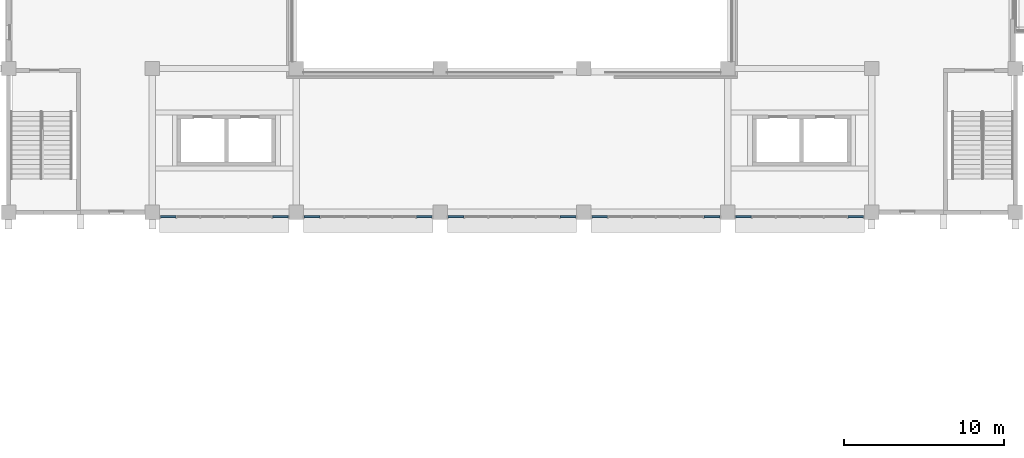
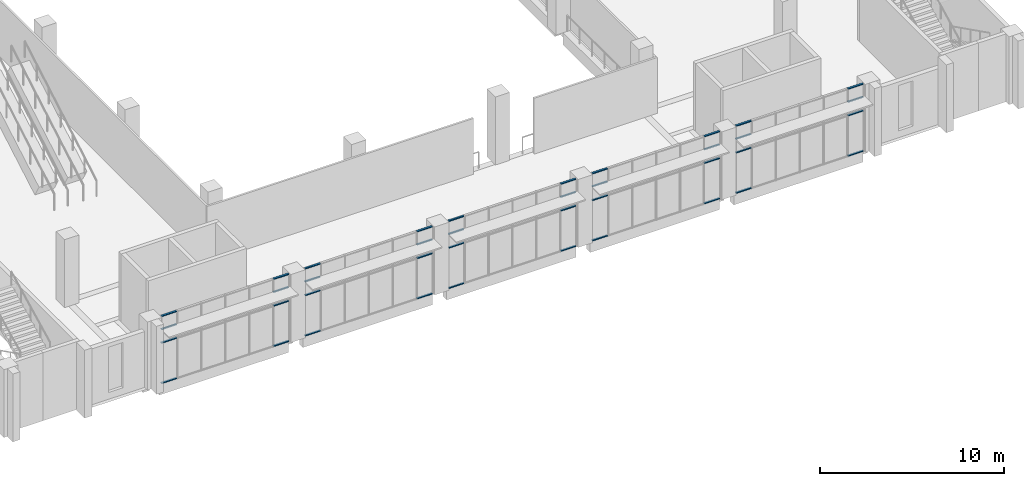
# One storey, part 35 of 88: 40 members, 5 elements without a shape of their own.
"""IFC4 building model written with IfcOpenShell, lengths in metres."""

from ifc_helpers import new_model, si_unit, direction, frame, origin, origin_2d, place, context, subcontext, project, spatial, rectangle, extrude, material, layer, layer_set, material_profile, profile_set, type_object, element, aggregate, save


model = new_model("IFC4")

# Units and contexts
model_context = context("Model", 3, precision=1e-05, world=origin(), true_north=direction((0.0, 1.0)))
body_context = subcontext(model_context, "Body", "Model", "MODEL_VIEW")
ifc_project = project(units=[si_unit("LENGTHUNIT", "METRE"), si_unit("AREAUNIT", "SQUARE_METRE"), si_unit("VOLUMEUNIT", "CUBIC_METRE"), si_unit("PLANEANGLEUNIT", "RADIAN"), si_unit("MASSUNIT", "GRAM", prefix="KILO")], contexts=[model_context])

# Site, building, storey
site_placement = place(None, origin())
site = spatial("IfcSite", under=ifc_project, at=site_placement, CompositionType="ELEMENT")
building_placement = place(site_placement, origin())
building = spatial("IfcBuilding", under=site, at=building_placement, Name="Guidao Yard Department Store", CompositionType="ELEMENT")
storey_placement = place(building_placement, frame((0.0, 0.0, 6.0)))
storey = spatial("IfcBuildingStorey", under=building, at=storey_placement, Name="L01", CompositionType="ELEMENT", Elevation=6.0)

# Curtain wall, members
ifc_material_1 = material(Name="Aluminium and glass", Category="aluminium")
ifc_layer = layer(ifc_material_1, 0.159912109375)
ifc_layer_set = layer_set([ifc_layer], Name="Hall front curtain wall CW2 1500 module")
curtain_wall_type = type_object("IfcCurtainWallType", Name="Hall front curtain wall CW2 1500 module", PredefinedType="NOTDEFINED", material=ifc_layer_set)
curtain_wall_1_placement = place(storey_placement, origin())
curtain_wall_1 = element("IfcCurtainWall", 1, at=curtain_wall_1_placement, inside=storey, type_object=curtain_wall_type, Name="Hall front curtain wall", PredefinedType="NOTDEFINED")
ifc_material_2 = material(Name="Aluminium 6063-T5", Category="aluminium")
ifc_material_profile = material_profile(ifc_material_2, rectangle(XDim=0.1201171875, YDim=0.06005859375, at=origin_2d()), Name="Transom T1 60 x 120 aluminium pressure plate")
ifc_profile_set = profile_set([ifc_material_profile], Name="Aluminium 6063-T5")
member_type = type_object("IfcMemberType", Name="Transom T1 60 x 120 aluminium pressure plate", PredefinedType="USERDEFINED", material=ifc_profile_set)
member_1_placement = place(storey_placement, frame((10.469970703125, 44.719970703125, 0.030029296875), z_axis=(-1.0, 0.0, 0.0), x_axis=(0.0, -1.0, 0.0)))
member_1 = element("IfcMember", 2, at=member_1_placement, type_object=member_type, Name="CW-HF-L01-01 transom 1.1", ObjectType="TRANSOM", PredefinedType="USERDEFINED", context=body_context, shape_type="SweptSolid", body=[
    extrude(rectangle(XDim=0.1201171875, YDim=0.06005859375, at=origin_2d()), origin(), (0.0, 0.0, 1.0), 0.9599609375),
])
member_2_placement = place(storey_placement, frame((10.469970703125, 44.719970703125, 2.699951171875), z_axis=(-1.0, 0.0, 0.0), x_axis=(0.0, -1.0, 0.0)))
member_2 = element("IfcMember", 3, at=member_2_placement, type_object=member_type, Name="CW-HF-L01-01 transom 1.2", ObjectType="TRANSOM", PredefinedType="USERDEFINED", context=body_context, shape_type="SweptSolid", body=[
    extrude(rectangle(XDim=0.1201171875, YDim=0.06005859375, at=origin_2d()), origin(), (0.0, 0.0, 1.0), 0.9599609375),
])
member_3_placement = place(storey_placement, frame((10.469970703125, 44.719970703125, 3.60009765625), z_axis=(-1.0, 0.0, 0.0), x_axis=(0.0, -1.0, 0.0)))
member_3 = element("IfcMember", 4, at=member_3_placement, type_object=member_type, Name="CW-HF-L01-01 transom 1.3", ObjectType="TRANSOM", PredefinedType="USERDEFINED", context=body_context, shape_type="SweptSolid", body=[
    extrude(rectangle(XDim=0.1201171875, YDim=0.06005859375, at=origin_2d()), origin(), (0.0, 0.0, 1.0), 0.9599609375),
])
member_4_placement = place(storey_placement, frame((10.469970703125, 44.719970703125, 4.469970703125), z_axis=(-1.0, 0.0, 0.0), x_axis=(0.0, -1.0, 0.0)))
member_4 = element("IfcMember", 5, at=member_4_placement, type_object=member_type, Name="CW-HF-L01-01 transom 1.4", ObjectType="TRANSOM", PredefinedType="USERDEFINED", context=body_context, shape_type="SweptSolid", body=[
    extrude(rectangle(XDim=0.1201171875, YDim=0.06005859375, at=origin_2d()), origin(), (0.0, 0.0, 1.0), 0.9599609375),
])
member_5_placement = place(storey_placement, frame((17.489990234375, 44.719970703125, 0.030029296875), z_axis=(-1.0, 0.0, 0.0), x_axis=(0.0, -1.0, 0.0)))
member_5 = element("IfcMember", 6, at=member_5_placement, type_object=member_type, Name="CW-HF-L01-01 transom 6.1", ObjectType="TRANSOM", PredefinedType="USERDEFINED", context=body_context, shape_type="SweptSolid", body=[
    extrude(rectangle(XDim=0.1201171875, YDim=0.06005859375, at=origin_2d()), origin(), (0.0, 0.0, 1.0), 0.9599609375),
])
member_6_placement = place(storey_placement, frame((17.489990234375, 44.719970703125, 2.699951171875), z_axis=(-1.0, 0.0, 0.0), x_axis=(0.0, -1.0, 0.0)))
member_6 = element("IfcMember", 7, at=member_6_placement, type_object=member_type, Name="CW-HF-L01-01 transom 6.2", ObjectType="TRANSOM", PredefinedType="USERDEFINED", context=body_context, shape_type="SweptSolid", body=[
    extrude(rectangle(XDim=0.1201171875, YDim=0.06005859375, at=origin_2d()), origin(), (0.0, 0.0, 1.0), 0.9599609375),
])
member_7_placement = place(storey_placement, frame((17.489990234375, 44.719970703125, 3.60009765625), z_axis=(-1.0, 0.0, 0.0), x_axis=(0.0, -1.0, 0.0)))
member_7 = element("IfcMember", 8, at=member_7_placement, type_object=member_type, Name="CW-HF-L01-01 transom 6.3", ObjectType="TRANSOM", PredefinedType="USERDEFINED", context=body_context, shape_type="SweptSolid", body=[
    extrude(rectangle(XDim=0.1201171875, YDim=0.06005859375, at=origin_2d()), origin(), (0.0, 0.0, 1.0), 0.9599609375),
])
member_8_placement = place(storey_placement, frame((17.489990234375, 44.719970703125, 4.469970703125), z_axis=(-1.0, 0.0, 0.0), x_axis=(0.0, -1.0, 0.0)))
member_8 = element("IfcMember", 9, at=member_8_placement, type_object=member_type, Name="CW-HF-L01-01 transom 6.4", ObjectType="TRANSOM", PredefinedType="USERDEFINED", context=body_context, shape_type="SweptSolid", body=[
    extrude(rectangle(XDim=0.1201171875, YDim=0.06005859375, at=origin_2d()), origin(), (0.0, 0.0, 1.0), 0.9599609375),
])
aggregate(curtain_wall_1, [member_1, member_2, member_3, member_4, member_5, member_6, member_7, member_8])

curtain_wall_2_placement = place(storey_placement, origin())
curtain_wall_2 = element("IfcCurtainWall", 10, at=curtain_wall_2_placement, inside=storey, type_object=curtain_wall_type, Name="Hall front curtain wall", PredefinedType="NOTDEFINED")
member_9_placement = place(storey_placement, frame((19.469970703125, 44.719970703125, 0.030029296875), z_axis=(-1.0, 0.0, 0.0), x_axis=(0.0, -1.0, 0.0)))
member_9 = element("IfcMember", 11, at=member_9_placement, type_object=member_type, Name="CW-HF-L01-02 transom 1.1", ObjectType="TRANSOM", PredefinedType="USERDEFINED", context=body_context, shape_type="SweptSolid", body=[
    extrude(rectangle(XDim=0.1201171875, YDim=0.06005859375, at=origin_2d()), origin(), (0.0, 0.0, 1.0), 0.9599609375),
])
member_10_placement = place(storey_placement, frame((19.469970703125, 44.719970703125, 2.699951171875), z_axis=(-1.0, 0.0, 0.0), x_axis=(0.0, -1.0, 0.0)))
member_10 = element("IfcMember", 12, at=member_10_placement, type_object=member_type, Name="CW-HF-L01-02 transom 1.2", ObjectType="TRANSOM", PredefinedType="USERDEFINED", context=body_context, shape_type="SweptSolid", body=[
    extrude(rectangle(XDim=0.1201171875, YDim=0.06005859375, at=origin_2d()), origin(), (0.0, 0.0, 1.0), 0.9599609375),
])
member_11_placement = place(storey_placement, frame((19.469970703125, 44.719970703125, 3.60009765625), z_axis=(-1.0, 0.0, 0.0), x_axis=(0.0, -1.0, 0.0)))
member_11 = element("IfcMember", 13, at=member_11_placement, type_object=member_type, Name="CW-HF-L01-02 transom 1.3", ObjectType="TRANSOM", PredefinedType="USERDEFINED", context=body_context, shape_type="SweptSolid", body=[
    extrude(rectangle(XDim=0.1201171875, YDim=0.06005859375, at=origin_2d()), origin(), (0.0, 0.0, 1.0), 0.9599609375),
])
member_12_placement = place(storey_placement, frame((19.469970703125, 44.719970703125, 4.469970703125), z_axis=(-1.0, 0.0, 0.0), x_axis=(0.0, -1.0, 0.0)))
member_12 = element("IfcMember", 14, at=member_12_placement, type_object=member_type, Name="CW-HF-L01-02 transom 1.4", ObjectType="TRANSOM", PredefinedType="USERDEFINED", context=body_context, shape_type="SweptSolid", body=[
    extrude(rectangle(XDim=0.1201171875, YDim=0.06005859375, at=origin_2d()), origin(), (0.0, 0.0, 1.0), 0.9599609375),
])
member_13_placement = place(storey_placement, frame((26.489990234375, 44.719970703125, 0.030029296875), z_axis=(-1.0, 0.0, 0.0), x_axis=(0.0, -1.0, 0.0)))
member_13 = element("IfcMember", 15, at=member_13_placement, type_object=member_type, Name="CW-HF-L01-02 transom 6.1", ObjectType="TRANSOM", PredefinedType="USERDEFINED", context=body_context, shape_type="SweptSolid", body=[
    extrude(rectangle(XDim=0.1201171875, YDim=0.06005859375, at=origin_2d()), origin(), (0.0, 0.0, 1.0), 0.9599609375),
])
member_14_placement = place(storey_placement, frame((26.489990234375, 44.719970703125, 2.699951171875), z_axis=(-1.0, 0.0, 0.0), x_axis=(0.0, -1.0, 0.0)))
member_14 = element("IfcMember", 16, at=member_14_placement, type_object=member_type, Name="CW-HF-L01-02 transom 6.2", ObjectType="TRANSOM", PredefinedType="USERDEFINED", context=body_context, shape_type="SweptSolid", body=[
    extrude(rectangle(XDim=0.1201171875, YDim=0.06005859375, at=origin_2d()), origin(), (0.0, 0.0, 1.0), 0.9599609375),
])
member_15_placement = place(storey_placement, frame((26.489990234375, 44.719970703125, 3.60009765625), z_axis=(-1.0, 0.0, 0.0), x_axis=(0.0, -1.0, 0.0)))
member_15 = element("IfcMember", 17, at=member_15_placement, type_object=member_type, Name="CW-HF-L01-02 transom 6.3", ObjectType="TRANSOM", PredefinedType="USERDEFINED", context=body_context, shape_type="SweptSolid", body=[
    extrude(rectangle(XDim=0.1201171875, YDim=0.06005859375, at=origin_2d()), origin(), (0.0, 0.0, 1.0), 0.9599609375),
])
member_16_placement = place(storey_placement, frame((26.489990234375, 44.719970703125, 4.469970703125), z_axis=(-1.0, 0.0, 0.0), x_axis=(0.0, -1.0, 0.0)))
member_16 = element("IfcMember", 18, at=member_16_placement, type_object=member_type, Name="CW-HF-L01-02 transom 6.4", ObjectType="TRANSOM", PredefinedType="USERDEFINED", context=body_context, shape_type="SweptSolid", body=[
    extrude(rectangle(XDim=0.1201171875, YDim=0.06005859375, at=origin_2d()), origin(), (0.0, 0.0, 1.0), 0.9599609375),
])
aggregate(curtain_wall_2, [member_9, member_10, member_11, member_12, member_13, member_14, member_15, member_16])

curtain_wall_3_placement = place(storey_placement, origin())
curtain_wall_3 = element("IfcCurtainWall", 19, at=curtain_wall_3_placement, inside=storey, type_object=curtain_wall_type, Name="Hall front curtain wall", PredefinedType="NOTDEFINED")
member_17_placement = place(storey_placement, frame((28.469970703125, 44.719970703125, 0.030029296875), z_axis=(-1.0, 0.0, 0.0), x_axis=(0.0, -1.0, 0.0)))
member_17 = element("IfcMember", 20, at=member_17_placement, type_object=member_type, Name="CW-HF-L01-03 transom 1.1", ObjectType="TRANSOM", PredefinedType="USERDEFINED", context=body_context, shape_type="SweptSolid", body=[
    extrude(rectangle(XDim=0.1201171875, YDim=0.06005859375, at=origin_2d()), origin(), (0.0, 0.0, 1.0), 0.9599609375),
])
member_18_placement = place(storey_placement, frame((28.469970703125, 44.719970703125, 2.699951171875), z_axis=(-1.0, 0.0, 0.0), x_axis=(0.0, -1.0, 0.0)))
member_18 = element("IfcMember", 21, at=member_18_placement, type_object=member_type, Name="CW-HF-L01-03 transom 1.2", ObjectType="TRANSOM", PredefinedType="USERDEFINED", context=body_context, shape_type="SweptSolid", body=[
    extrude(rectangle(XDim=0.1201171875, YDim=0.06005859375, at=origin_2d()), origin(), (0.0, 0.0, 1.0), 0.9599609375),
])
member_19_placement = place(storey_placement, frame((28.469970703125, 44.719970703125, 3.60009765625), z_axis=(-1.0, 0.0, 0.0), x_axis=(0.0, -1.0, 0.0)))
member_19 = element("IfcMember", 22, at=member_19_placement, type_object=member_type, Name="CW-HF-L01-03 transom 1.3", ObjectType="TRANSOM", PredefinedType="USERDEFINED", context=body_context, shape_type="SweptSolid", body=[
    extrude(rectangle(XDim=0.1201171875, YDim=0.06005859375, at=origin_2d()), origin(), (0.0, 0.0, 1.0), 0.9599609375),
])
member_20_placement = place(storey_placement, frame((28.469970703125, 44.719970703125, 4.469970703125), z_axis=(-1.0, 0.0, 0.0), x_axis=(0.0, -1.0, 0.0)))
member_20 = element("IfcMember", 23, at=member_20_placement, type_object=member_type, Name="CW-HF-L01-03 transom 1.4", ObjectType="TRANSOM", PredefinedType="USERDEFINED", context=body_context, shape_type="SweptSolid", body=[
    extrude(rectangle(XDim=0.1201171875, YDim=0.06005859375, at=origin_2d()), origin(), (0.0, 0.0, 1.0), 0.9599609375),
])
member_21_placement = place(storey_placement, frame((35.489990234375, 44.719970703125, 0.030029296875), z_axis=(-1.0, 0.0, 0.0), x_axis=(0.0, -1.0, 0.0)))
member_21 = element("IfcMember", 24, at=member_21_placement, type_object=member_type, Name="CW-HF-L01-03 transom 6.1", ObjectType="TRANSOM", PredefinedType="USERDEFINED", context=body_context, shape_type="SweptSolid", body=[
    extrude(rectangle(XDim=0.1201171875, YDim=0.06005859375, at=origin_2d()), origin(), (0.0, 0.0, 1.0), 0.9599609375),
])
member_22_placement = place(storey_placement, frame((35.489990234375, 44.719970703125, 2.699951171875), z_axis=(-1.0, 0.0, 0.0), x_axis=(0.0, -1.0, 0.0)))
member_22 = element("IfcMember", 25, at=member_22_placement, type_object=member_type, Name="CW-HF-L01-03 transom 6.2", ObjectType="TRANSOM", PredefinedType="USERDEFINED", context=body_context, shape_type="SweptSolid", body=[
    extrude(rectangle(XDim=0.1201171875, YDim=0.06005859375, at=origin_2d()), origin(), (0.0, 0.0, 1.0), 0.9599609375),
])
member_23_placement = place(storey_placement, frame((35.489990234375, 44.719970703125, 3.60009765625), z_axis=(-1.0, 0.0, 0.0), x_axis=(0.0, -1.0, 0.0)))
member_23 = element("IfcMember", 26, at=member_23_placement, type_object=member_type, Name="CW-HF-L01-03 transom 6.3", ObjectType="TRANSOM", PredefinedType="USERDEFINED", context=body_context, shape_type="SweptSolid", body=[
    extrude(rectangle(XDim=0.1201171875, YDim=0.06005859375, at=origin_2d()), origin(), (0.0, 0.0, 1.0), 0.9599609375),
])
member_24_placement = place(storey_placement, frame((35.489990234375, 44.719970703125, 4.469970703125), z_axis=(-1.0, 0.0, 0.0), x_axis=(0.0, -1.0, 0.0)))
member_24 = element("IfcMember", 27, at=member_24_placement, type_object=member_type, Name="CW-HF-L01-03 transom 6.4", ObjectType="TRANSOM", PredefinedType="USERDEFINED", context=body_context, shape_type="SweptSolid", body=[
    extrude(rectangle(XDim=0.1201171875, YDim=0.06005859375, at=origin_2d()), origin(), (0.0, 0.0, 1.0), 0.9599609375),
])
aggregate(curtain_wall_3, [member_17, member_18, member_19, member_20, member_21, member_22, member_23, member_24])

curtain_wall_4_placement = place(storey_placement, origin())
curtain_wall_4 = element("IfcCurtainWall", 28, at=curtain_wall_4_placement, inside=storey, type_object=curtain_wall_type, Name="Hall front curtain wall", PredefinedType="NOTDEFINED")
member_25_placement = place(storey_placement, frame((37.469970703125, 44.719970703125, 0.030029296875), z_axis=(-1.0, 0.0, 0.0), x_axis=(0.0, -1.0, 0.0)))
member_25 = element("IfcMember", 29, at=member_25_placement, type_object=member_type, Name="CW-HF-L01-04 transom 1.1", ObjectType="TRANSOM", PredefinedType="USERDEFINED", context=body_context, shape_type="SweptSolid", body=[
    extrude(rectangle(XDim=0.1201171875, YDim=0.06005859375, at=origin_2d()), origin(), (0.0, 0.0, 1.0), 0.9599609375),
])
member_26_placement = place(storey_placement, frame((37.469970703125, 44.719970703125, 2.699951171875), z_axis=(-1.0, 0.0, 0.0), x_axis=(0.0, -1.0, 0.0)))
member_26 = element("IfcMember", 30, at=member_26_placement, type_object=member_type, Name="CW-HF-L01-04 transom 1.2", ObjectType="TRANSOM", PredefinedType="USERDEFINED", context=body_context, shape_type="SweptSolid", body=[
    extrude(rectangle(XDim=0.1201171875, YDim=0.06005859375, at=origin_2d()), origin(), (0.0, 0.0, 1.0), 0.9599609375),
])
member_27_placement = place(storey_placement, frame((37.469970703125, 44.719970703125, 3.60009765625), z_axis=(-1.0, 0.0, 0.0), x_axis=(0.0, -1.0, 0.0)))
member_27 = element("IfcMember", 31, at=member_27_placement, type_object=member_type, Name="CW-HF-L01-04 transom 1.3", ObjectType="TRANSOM", PredefinedType="USERDEFINED", context=body_context, shape_type="SweptSolid", body=[
    extrude(rectangle(XDim=0.1201171875, YDim=0.06005859375, at=origin_2d()), origin(), (0.0, 0.0, 1.0), 0.9599609375),
])
member_28_placement = place(storey_placement, frame((37.469970703125, 44.719970703125, 4.469970703125), z_axis=(-1.0, 0.0, 0.0), x_axis=(0.0, -1.0, 0.0)))
member_28 = element("IfcMember", 32, at=member_28_placement, type_object=member_type, Name="CW-HF-L01-04 transom 1.4", ObjectType="TRANSOM", PredefinedType="USERDEFINED", context=body_context, shape_type="SweptSolid", body=[
    extrude(rectangle(XDim=0.1201171875, YDim=0.06005859375, at=origin_2d()), origin(), (0.0, 0.0, 1.0), 0.9599609375),
])
member_29_placement = place(storey_placement, frame((44.489990234375, 44.719970703125, 0.030029296875), z_axis=(-1.0, 0.0, 0.0), x_axis=(0.0, -1.0, 0.0)))
member_29 = element("IfcMember", 33, at=member_29_placement, type_object=member_type, Name="CW-HF-L01-04 transom 6.1", ObjectType="TRANSOM", PredefinedType="USERDEFINED", context=body_context, shape_type="SweptSolid", body=[
    extrude(rectangle(XDim=0.1201171875, YDim=0.06005859375, at=origin_2d()), origin(), (0.0, 0.0, 1.0), 0.9599609375),
])
member_30_placement = place(storey_placement, frame((44.489990234375, 44.719970703125, 2.699951171875), z_axis=(-1.0, 0.0, 0.0), x_axis=(0.0, -1.0, 0.0)))
member_30 = element("IfcMember", 34, at=member_30_placement, type_object=member_type, Name="CW-HF-L01-04 transom 6.2", ObjectType="TRANSOM", PredefinedType="USERDEFINED", context=body_context, shape_type="SweptSolid", body=[
    extrude(rectangle(XDim=0.1201171875, YDim=0.06005859375, at=origin_2d()), origin(), (0.0, 0.0, 1.0), 0.9599609375),
])
member_31_placement = place(storey_placement, frame((44.489990234375, 44.719970703125, 3.60009765625), z_axis=(-1.0, 0.0, 0.0), x_axis=(0.0, -1.0, 0.0)))
member_31 = element("IfcMember", 35, at=member_31_placement, type_object=member_type, Name="CW-HF-L01-04 transom 6.3", ObjectType="TRANSOM", PredefinedType="USERDEFINED", context=body_context, shape_type="SweptSolid", body=[
    extrude(rectangle(XDim=0.1201171875, YDim=0.06005859375, at=origin_2d()), origin(), (0.0, 0.0, 1.0), 0.9599609375),
])
member_32_placement = place(storey_placement, frame((44.489990234375, 44.719970703125, 4.469970703125), z_axis=(-1.0, 0.0, 0.0), x_axis=(0.0, -1.0, 0.0)))
member_32 = element("IfcMember", 36, at=member_32_placement, type_object=member_type, Name="CW-HF-L01-04 transom 6.4", ObjectType="TRANSOM", PredefinedType="USERDEFINED", context=body_context, shape_type="SweptSolid", body=[
    extrude(rectangle(XDim=0.1201171875, YDim=0.06005859375, at=origin_2d()), origin(), (0.0, 0.0, 1.0), 0.9599609375),
])
aggregate(curtain_wall_4, [member_25, member_26, member_27, member_28, member_29, member_30, member_31, member_32])

curtain_wall_5_placement = place(storey_placement, origin())
curtain_wall_5 = element("IfcCurtainWall", 37, at=curtain_wall_5_placement, inside=storey, type_object=curtain_wall_type, Name="Hall front curtain wall", PredefinedType="NOTDEFINED")
member_33_placement = place(storey_placement, frame((46.469970703125, 44.719970703125, 0.030029296875), z_axis=(-1.0, 0.0, 0.0), x_axis=(0.0, -1.0, 0.0)))
member_33 = element("IfcMember", 38, at=member_33_placement, type_object=member_type, Name="CW-HF-L01-05 transom 1.1", ObjectType="TRANSOM", PredefinedType="USERDEFINED", context=body_context, shape_type="SweptSolid", body=[
    extrude(rectangle(XDim=0.1201171875, YDim=0.06005859375, at=origin_2d()), origin(), (0.0, 0.0, 1.0), 0.9599609375),
])
member_34_placement = place(storey_placement, frame((46.469970703125, 44.719970703125, 2.699951171875), z_axis=(-1.0, 0.0, 0.0), x_axis=(0.0, -1.0, 0.0)))
member_34 = element("IfcMember", 39, at=member_34_placement, type_object=member_type, Name="CW-HF-L01-05 transom 1.2", ObjectType="TRANSOM", PredefinedType="USERDEFINED", context=body_context, shape_type="SweptSolid", body=[
    extrude(rectangle(XDim=0.1201171875, YDim=0.06005859375, at=origin_2d()), origin(), (0.0, 0.0, 1.0), 0.9599609375),
])
member_35_placement = place(storey_placement, frame((46.469970703125, 44.719970703125, 3.60009765625), z_axis=(-1.0, 0.0, 0.0), x_axis=(0.0, -1.0, 0.0)))
member_35 = element("IfcMember", 40, at=member_35_placement, type_object=member_type, Name="CW-HF-L01-05 transom 1.3", ObjectType="TRANSOM", PredefinedType="USERDEFINED", context=body_context, shape_type="SweptSolid", body=[
    extrude(rectangle(XDim=0.1201171875, YDim=0.06005859375, at=origin_2d()), origin(), (0.0, 0.0, 1.0), 0.9599609375),
])
member_36_placement = place(storey_placement, frame((46.469970703125, 44.719970703125, 4.469970703125), z_axis=(-1.0, 0.0, 0.0), x_axis=(0.0, -1.0, 0.0)))
member_36 = element("IfcMember", 41, at=member_36_placement, type_object=member_type, Name="CW-HF-L01-05 transom 1.4", ObjectType="TRANSOM", PredefinedType="USERDEFINED", context=body_context, shape_type="SweptSolid", body=[
    extrude(rectangle(XDim=0.1201171875, YDim=0.06005859375, at=origin_2d()), origin(), (0.0, 0.0, 1.0), 0.9599609375),
])
member_37_placement = place(storey_placement, frame((53.489990234375, 44.719970703125, 0.030029296875), z_axis=(-1.0, 0.0, 0.0), x_axis=(0.0, -1.0, 0.0)))
member_37 = element("IfcMember", 42, at=member_37_placement, type_object=member_type, Name="CW-HF-L01-05 transom 6.1", ObjectType="TRANSOM", PredefinedType="USERDEFINED", context=body_context, shape_type="SweptSolid", body=[
    extrude(rectangle(XDim=0.1201171875, YDim=0.06005859375, at=origin_2d()), origin(), (0.0, 0.0, 1.0), 0.9599609375),
])
member_38_placement = place(storey_placement, frame((53.489990234375, 44.719970703125, 2.699951171875), z_axis=(-1.0, 0.0, 0.0), x_axis=(0.0, -1.0, 0.0)))
member_38 = element("IfcMember", 43, at=member_38_placement, type_object=member_type, Name="CW-HF-L01-05 transom 6.2", ObjectType="TRANSOM", PredefinedType="USERDEFINED", context=body_context, shape_type="SweptSolid", body=[
    extrude(rectangle(XDim=0.1201171875, YDim=0.06005859375, at=origin_2d()), origin(), (0.0, 0.0, 1.0), 0.9599609375),
])
member_39_placement = place(storey_placement, frame((53.489990234375, 44.719970703125, 3.60009765625), z_axis=(-1.0, 0.0, 0.0), x_axis=(0.0, -1.0, 0.0)))
member_39 = element("IfcMember", 44, at=member_39_placement, type_object=member_type, Name="CW-HF-L01-05 transom 6.3", ObjectType="TRANSOM", PredefinedType="USERDEFINED", context=body_context, shape_type="SweptSolid", body=[
    extrude(rectangle(XDim=0.1201171875, YDim=0.06005859375, at=origin_2d()), origin(), (0.0, 0.0, 1.0), 0.9599609375),
])
member_40_placement = place(storey_placement, frame((53.489990234375, 44.719970703125, 4.469970703125), z_axis=(-1.0, 0.0, 0.0), x_axis=(0.0, -1.0, 0.0)))
member_40 = element("IfcMember", 45, at=member_40_placement, type_object=member_type, Name="CW-HF-L01-05 transom 6.4", ObjectType="TRANSOM", PredefinedType="USERDEFINED", context=body_context, shape_type="SweptSolid", body=[
    extrude(rectangle(XDim=0.1201171875, YDim=0.06005859375, at=origin_2d()), origin(), (0.0, 0.0, 1.0), 0.9599609375),
])
aggregate(curtain_wall_5, [member_33, member_34, member_35, member_36, member_37, member_38, member_39, member_40])

save(model, "model.ifc")
